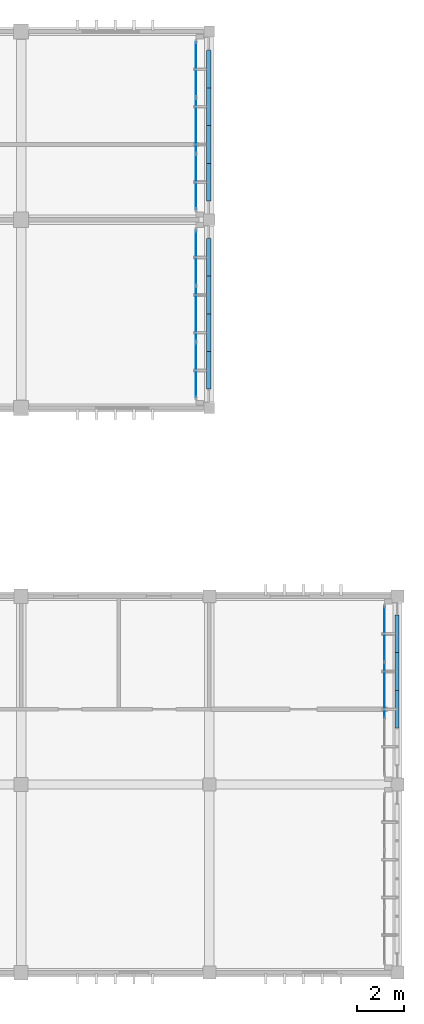
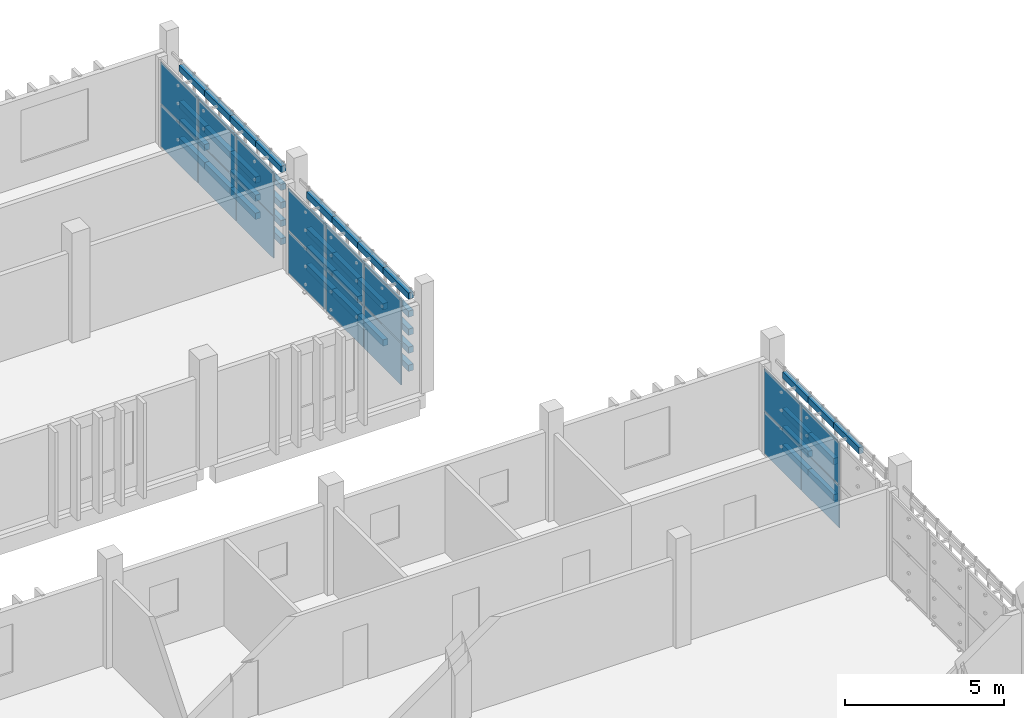
# One storey, part 43 of 63: 67 plates, 3 elements without a shape of their own.
"""IFC4 building model written with IfcOpenShell, lengths in metres."""

from ifc_helpers import new_model, si_unit, direction, frame, origin, origin_2d, place, context, subcontext, project, spatial, rectangle, extrude, material, layer, layer_set, type_object, element, aggregate, save


model = new_model("IFC4")

# Units and contexts
model_context = context("Model", 3, precision=1e-05, world=origin(), true_north=direction((0.0, 1.0)))
body_context = subcontext(model_context, "Body", "Model", "MODEL_VIEW")
ifc_project = project(units=[si_unit("LENGTHUNIT", "METRE"), si_unit("AREAUNIT", "SQUARE_METRE"), si_unit("VOLUMEUNIT", "CUBIC_METRE"), si_unit("PLANEANGLEUNIT", "RADIAN"), si_unit("MASSUNIT", "GRAM", prefix="KILO")], contexts=[model_context])

# Site, building, storey
site_placement = place(None, origin())
site = spatial("IfcSite", under=ifc_project, at=site_placement, CompositionType="ELEMENT")
building_placement = place(site_placement, origin())
building = spatial("IfcBuilding", under=site, at=building_placement, Name="Jelvoka-Kovrelna Polytechnic", CompositionType="ELEMENT")
storey_placement = place(building_placement, frame((0.0, 0.0, 18.0)))
storey = spatial("IfcBuildingStorey", under=building, at=storey_placement, Name="L05", CompositionType="ELEMENT", Elevation=18.0)

# Curtain wall, plates
ifc_material_1 = material(Name="Anodised aluminium 6063-T6", Category="aluminium")
ifc_layer_1 = layer(ifc_material_1, 0.159912109375)
ifc_layer_set_1 = layer_set([ifc_layer_1], Name="Anodised aluminium 6063-T6")
curtain_wall_type_1 = type_object("IfcCurtainWallType", Name="CW_Recessed_A", PredefinedType="NOTDEFINED", material=ifc_layer_set_1)
curtain_wall_1_placement = place(storey_placement, origin())
curtain_wall_1 = element("IfcCurtainWall", 1, at=curtain_wall_1_placement, inside=storey, type_object=curtain_wall_type_1, Name="L05 glazed curtain wall 073", PredefinedType="NOTDEFINED")
ifc_material_2 = material(Name="Solar-control double glazing", Category="glass")
ifc_layer_2 = layer(ifc_material_2, 0.028076171875)
ifc_layer_set_2 = layer_set([ifc_layer_2], Name="Solar-control double glazing")
plate_type_1 = type_object("IfcPlateType", Name="Panel_GP-01", PredefinedType="CURTAIN_PANEL", material=ifc_layer_set_2)
plate_1_placement = place(storey_placement, frame((199.43994140625, 46.385009765625, 0.052001953125), z_axis=(0.0, 0.0, 1.0), x_axis=(0.0, -1.0, 0.0)))
plate_1 = element("IfcPlate", 2, at=plate_1_placement, type_object=plate_type_1, Name="CW-01 panel 1.1", PredefinedType="CURTAIN_PANEL", context=body_context, shape_type="SweptSolid", body=[
    extrude(rectangle(XDim=2.326171875, YDim=0.028076171875, at=origin_2d()), origin(), (0.0, 0.0, 1.0), 1.60107421875),
])
plate_2_placement = place(storey_placement, frame((199.43994140625, 46.385009765625, 1.697021484375), z_axis=(0.0, 0.0, 1.0), x_axis=(0.0, -1.0, 0.0)))
plate_2 = element("IfcPlate", 3, at=plate_2_placement, type_object=plate_type_1, Name="CW-01 panel 1.2", PredefinedType="CURTAIN_PANEL", context=body_context, shape_type="SweptSolid", body=[
    extrude(rectangle(XDim=2.326171875, YDim=0.028076171875, at=origin_2d()), origin(), (0.0, 0.0, 1.0), 1.60107421875),
])
plate_3_placement = place(storey_placement, frame((199.43994140625, 44.0, 0.052001953125), z_axis=(0.0, 0.0, 1.0), x_axis=(0.0, -1.0, 0.0)))
plate_3 = element("IfcPlate", 4, at=plate_3_placement, type_object=plate_type_1, Name="CW-01 panel 2.1", PredefinedType="CURTAIN_PANEL", context=body_context, shape_type="SweptSolid", body=[
    extrude(rectangle(XDim=2.356201171875, YDim=0.028076171875, at=origin_2d()), origin(), (0.0, 0.0, 1.0), 1.60107421875),
])
plate_4_placement = place(storey_placement, frame((199.43994140625, 44.0, 1.697021484375), z_axis=(0.0, 0.0, 1.0), x_axis=(0.0, -1.0, 0.0)))
plate_4 = element("IfcPlate", 5, at=plate_4_placement, type_object=plate_type_1, Name="CW-01 panel 2.2", PredefinedType="CURTAIN_PANEL", context=body_context, shape_type="SweptSolid", body=[
    extrude(rectangle(XDim=2.356201171875, YDim=0.028076171875, at=origin_2d()), origin(), (0.0, 0.0, 1.0), 1.60107421875),
])
aggregate(curtain_wall_1, [plate_1, plate_2, plate_3, plate_4])

ifc_material_3 = material(Name="Anodised aluminium 6063-T6", Category="aluminium")
ifc_layer_3 = layer(ifc_material_3, 0.179931640625)
ifc_layer_set_3 = layer_set([ifc_layer_3], Name="Anodised aluminium 6063-T6")
curtain_wall_type_2 = type_object("IfcCurtainWallType", Name="CW_Recessed_B", PredefinedType="NOTDEFINED", material=ifc_layer_set_3)
curtain_wall_2_placement = place(storey_placement, origin())
curtain_wall_2 = element("IfcCurtainWall", 6, at=curtain_wall_2_placement, inside=storey, type_object=curtain_wall_type_2, Name="L05 glazed curtain wall 089", PredefinedType="NOTDEFINED")
ifc_material_4 = material(Name="Solar-control double glazing", Category="glass")
ifc_layer_4 = layer(ifc_material_4, 0.031982421875)
ifc_layer_set_4 = layer_set([ifc_layer_4], Name="Solar-control double glazing")
plate_type_2 = type_object("IfcPlateType", Name="Panel_GP-02", PredefinedType="CURTAIN_PANEL", material=ifc_layer_set_4)
plate_5_placement = place(storey_placement, frame((191.43994140625, 62.3837890625, 0.056884765625), z_axis=(0.0, 0.0, 1.0), x_axis=(0.0, -1.0, 0.0)))
plate_5 = element("IfcPlate", 7, at=plate_5_placement, type_object=plate_type_2, Name="CW-02 panel 1.1", PredefinedType="CURTAIN_PANEL", context=body_context, shape_type="SweptSolid", body=[
    extrude(rectangle(XDim=2.318603515625, YDim=0.031982421875, at=origin_2d()), origin(), (0.0, 0.0, 1.0), 1.593505859375),
])
plate_6_placement = place(storey_placement, frame((191.43994140625, 62.3837890625, 1.699462890625), z_axis=(0.0, 0.0, 1.0), x_axis=(0.0, -1.0, 0.0)))
plate_6 = element("IfcPlate", 8, at=plate_6_placement, type_object=plate_type_2, Name="CW-02 panel 1.2", PredefinedType="CURTAIN_PANEL", context=body_context, shape_type="SweptSolid", body=[
    extrude(rectangle(XDim=2.318603515625, YDim=0.031982421875, at=origin_2d()), origin(), (0.0, 0.0, 1.0), 1.593505859375),
])
plate_7_placement = place(storey_placement, frame((191.43994140625, 60.0, 0.056884765625), z_axis=(0.0, 0.0, 1.0), x_axis=(0.0, -1.0, 0.0)))
plate_7 = element("IfcPlate", 9, at=plate_7_placement, type_object=plate_type_2, Name="CW-02 panel 2.1", PredefinedType="CURTAIN_PANEL", context=body_context, shape_type="SweptSolid", body=[
    extrude(rectangle(XDim=2.35107421875, YDim=0.031982421875, at=origin_2d()), origin(), (0.0, 0.0, 1.0), 1.593505859375),
])
plate_8_placement = place(storey_placement, frame((191.43994140625, 60.0, 1.699462890625), z_axis=(0.0, 0.0, 1.0), x_axis=(0.0, -1.0, 0.0)))
plate_8 = element("IfcPlate", 10, at=plate_8_placement, type_object=plate_type_2, Name="CW-02 panel 2.2", PredefinedType="CURTAIN_PANEL", context=body_context, shape_type="SweptSolid", body=[
    extrude(rectangle(XDim=2.35107421875, YDim=0.031982421875, at=origin_2d()), origin(), (0.0, 0.0, 1.0), 1.593505859375),
])
plate_9_placement = place(storey_placement, frame((191.43994140625, 57.6162109375, 0.056884765625), z_axis=(0.0, 0.0, 1.0), x_axis=(0.0, -1.0, 0.0)))
plate_9 = element("IfcPlate", 11, at=plate_9_placement, type_object=plate_type_2, Name="CW-02 panel 3.1", PredefinedType="CURTAIN_PANEL", context=body_context, shape_type="SweptSolid", body=[
    extrude(rectangle(XDim=2.318603515625, YDim=0.031982421875, at=origin_2d()), origin(), (0.0, 0.0, 1.0), 1.593505859375),
])
plate_10_placement = place(storey_placement, frame((191.43994140625, 57.6162109375, 1.699462890625), z_axis=(0.0, 0.0, 1.0), x_axis=(0.0, -1.0, 0.0)))
plate_10 = element("IfcPlate", 12, at=plate_10_placement, type_object=plate_type_2, Name="CW-02 panel 3.2", PredefinedType="CURTAIN_PANEL", context=body_context, shape_type="SweptSolid", body=[
    extrude(rectangle(XDim=2.318603515625, YDim=0.031982421875, at=origin_2d()), origin(), (0.0, 0.0, 1.0), 1.593505859375),
])
aggregate(curtain_wall_2, [plate_5, plate_6, plate_7, plate_8, plate_9, plate_10])

curtain_wall_3_placement = place(storey_placement, origin())
curtain_wall_3 = element("IfcCurtainWall", 13, at=curtain_wall_3_placement, inside=storey, type_object=curtain_wall_type_2, Name="L05 glazed curtain wall 090", PredefinedType="NOTDEFINED")
plate_11_placement = place(storey_placement, frame((191.43994140625, 70.3837890625, 0.056884765625), z_axis=(0.0, 0.0, 1.0), x_axis=(0.0, -1.0, 0.0)))
plate_11 = element("IfcPlate", 14, at=plate_11_placement, type_object=plate_type_2, Name="CW-02 panel 1.1", PredefinedType="CURTAIN_PANEL", context=body_context, shape_type="SweptSolid", body=[
    extrude(rectangle(XDim=2.318603515625, YDim=0.031982421875, at=origin_2d()), origin(), (0.0, 0.0, 1.0), 1.593505859375),
])
plate_12_placement = place(storey_placement, frame((191.43994140625, 70.3837890625, 1.699462890625), z_axis=(0.0, 0.0, 1.0), x_axis=(0.0, -1.0, 0.0)))
plate_12 = element("IfcPlate", 15, at=plate_12_placement, type_object=plate_type_2, Name="CW-02 panel 1.2", PredefinedType="CURTAIN_PANEL", context=body_context, shape_type="SweptSolid", body=[
    extrude(rectangle(XDim=2.318603515625, YDim=0.031982421875, at=origin_2d()), origin(), (0.0, 0.0, 1.0), 1.593505859375),
])
plate_13_placement = place(storey_placement, frame((191.43994140625, 68.0, 0.056884765625), z_axis=(0.0, 0.0, 1.0), x_axis=(0.0, -1.0, 0.0)))
plate_13 = element("IfcPlate", 16, at=plate_13_placement, type_object=plate_type_2, Name="CW-02 panel 2.1", PredefinedType="CURTAIN_PANEL", context=body_context, shape_type="SweptSolid", body=[
    extrude(rectangle(XDim=2.35107421875, YDim=0.031982421875, at=origin_2d()), origin(), (0.0, 0.0, 1.0), 1.593505859375),
])
plate_14_placement = place(storey_placement, frame((191.43994140625, 68.0, 1.699462890625), z_axis=(0.0, 0.0, 1.0), x_axis=(0.0, -1.0, 0.0)))
plate_14 = element("IfcPlate", 17, at=plate_14_placement, type_object=plate_type_2, Name="CW-02 panel 2.2", PredefinedType="CURTAIN_PANEL", context=body_context, shape_type="SweptSolid", body=[
    extrude(rectangle(XDim=2.35107421875, YDim=0.031982421875, at=origin_2d()), origin(), (0.0, 0.0, 1.0), 1.593505859375),
])
plate_15_placement = place(storey_placement, frame((191.43994140625, 65.6162109375, 0.056884765625), z_axis=(0.0, 0.0, 1.0), x_axis=(0.0, -1.0, 0.0)))
plate_15 = element("IfcPlate", 18, at=plate_15_placement, type_object=plate_type_2, Name="CW-02 panel 3.1", PredefinedType="CURTAIN_PANEL", context=body_context, shape_type="SweptSolid", body=[
    extrude(rectangle(XDim=2.318603515625, YDim=0.031982421875, at=origin_2d()), origin(), (0.0, 0.0, 1.0), 1.593505859375),
])
plate_16_placement = place(storey_placement, frame((191.43994140625, 65.6162109375, 1.699462890625), z_axis=(0.0, 0.0, 1.0), x_axis=(0.0, -1.0, 0.0)))
plate_16 = element("IfcPlate", 19, at=plate_16_placement, type_object=plate_type_2, Name="CW-02 panel 3.2", PredefinedType="CURTAIN_PANEL", context=body_context, shape_type="SweptSolid", body=[
    extrude(rectangle(XDim=2.318603515625, YDim=0.031982421875, at=origin_2d()), origin(), (0.0, 0.0, 1.0), 1.593505859375),
])
aggregate(curtain_wall_3, [plate_11, plate_12, plate_13, plate_14, plate_15, plate_16])

# Plates
ifc_material_5 = material(Name="Perforated fired terracotta block", Category="masonry")
ifc_layer_5 = layer(ifc_material_5, 0.159912109375)
ifc_layer_set_5 = layer_set([ifc_layer_5], Name="Perforated fired terracotta block")
plate_type_3 = type_object("IfcPlateType", Name="Screen_Terracotta_TP01", PredefinedType="USERDEFINED", material=ifc_layer_set_5)
for number, where, z_axis, x_axis, name in (
    (20, (199.97998046875, 43.199951171875, 2.97021484375), (0.0, 0.0, 1.0), (0.0, 1.0, 0.0), "L05 perforated terracotta lattice band 0810"),
    (21, (199.97998046875, 44.800048828125, 0.2001953125), (0.0, 0.0, 1.0), (0.0, 1.0, 0.0), "L05 perforated terracotta lattice band 0811"),
    (22, (199.97998046875, 44.800048828125, 0.892578125), (0.0, 0.0, 1.0), (0.0, 1.0, 0.0), "L05 perforated terracotta lattice band 0812"),
    (23, (199.97998046875, 44.800048828125, 1.5849609375), (0.0, 0.0, 1.0), (0.0, 1.0, 0.0), "L05 perforated terracotta lattice band 0813"),
    (24, (199.97998046875, 44.800048828125, 2.27734375), (0.0, 0.0, 1.0), (0.0, 1.0, 0.0), "L05 perforated terracotta lattice band 0814"),
    (25, (199.97998046875, 44.800048828125, 2.97021484375), (0.0, 0.0, 1.0), (0.0, 1.0, 0.0), "L05 perforated terracotta lattice band 0815"),
    (26, (199.97998046875, 46.39990234375, 0.2001953125), (0.0, 0.0, 1.0), (0.0, 1.0, 0.0), "L05 perforated terracotta lattice band 0816"),
    (27, (199.97998046875, 46.39990234375, 0.892578125), (0.0, 0.0, 1.0), (0.0, 1.0, 0.0), "L05 perforated terracotta lattice band 0817"),
    (28, (199.97998046875, 46.39990234375, 1.5849609375), (0.0, 0.0, 1.0), (0.0, 1.0, 0.0), "L05 perforated terracotta lattice band 0818"),
    (29, (199.97998046875, 46.39990234375, 2.27734375), (0.0, 0.0, 1.0), (0.0, 1.0, 0.0), "L05 perforated terracotta lattice band 0819"),
    (30, (199.97998046875, 46.39990234375, 2.97021484375), (0.0, 0.0, 1.0), (0.0, 1.0, 0.0), "L05 perforated terracotta lattice band 0820"),
):
    element("IfcPlate", number, at=place(storey_placement, frame(where, z_axis=z_axis, x_axis=x_axis)), inside=storey, type_object=plate_type_3, Name=name, ObjectType="SCREEN PANEL", PredefinedType="USERDEFINED", context=body_context, shape_type="SweptSolid", body=[
        extrude(rectangle(XDim=1.60009765625, YDim=0.159912109375, at=origin_2d()), origin(), (0.0, 0.0, 1.0), 0.239990234375),
    ])
ifc_material_6 = material(Name="Perforated fired terracotta block", Category="masonry")
ifc_layer_6 = layer(ifc_material_6, 0.179931640625)
ifc_layer_set_6 = layer_set([ifc_layer_6], Name="Perforated fired terracotta block")
plate_type_4 = type_object("IfcPlateType", Name="Screen_Terracotta_TP02", PredefinedType="USERDEFINED", material=ifc_layer_set_6)
for number, where, z_axis, x_axis, name in (
    (31, (191.97998046875, 57.60009765625, 0.2001953125), (0.0, 0.0, 1.0), (0.0, 1.0, 0.0), "L05 perforated terracotta lattice band 1121"),
    (32, (191.97998046875, 57.60009765625, 0.892578125), (0.0, 0.0, 1.0), (0.0, 1.0, 0.0), "L05 perforated terracotta lattice band 1122"),
    (33, (191.97998046875, 57.60009765625, 1.5849609375), (0.0, 0.0, 1.0), (0.0, 1.0, 0.0), "L05 perforated terracotta lattice band 1123"),
    (34, (191.97998046875, 57.60009765625, 2.27734375), (0.0, 0.0, 1.0), (0.0, 1.0, 0.0), "L05 perforated terracotta lattice band 1124"),
    (35, (191.97998046875, 57.60009765625, 2.97021484375), (0.0, 0.0, 1.0), (0.0, 1.0, 0.0), "L05 perforated terracotta lattice band 1125"),
    (36, (191.97998046875, 59.199951171875, 0.2001953125), (0.0, 0.0, 1.0), (0.0, 1.0, 0.0), "L05 perforated terracotta lattice band 1126"),
    (37, (191.97998046875, 59.199951171875, 0.892578125), (0.0, 0.0, 1.0), (0.0, 1.0, 0.0), "L05 perforated terracotta lattice band 1127"),
    (38, (191.97998046875, 59.199951171875, 1.5849609375), (0.0, 0.0, 1.0), (0.0, 1.0, 0.0), "L05 perforated terracotta lattice band 1128"),
    (39, (191.97998046875, 59.199951171875, 2.27734375), (0.0, 0.0, 1.0), (0.0, 1.0, 0.0), "L05 perforated terracotta lattice band 1129"),
    (40, (191.97998046875, 59.199951171875, 2.97021484375), (0.0, 0.0, 1.0), (0.0, 1.0, 0.0), "L05 perforated terracotta lattice band 1130"),
    (41, (191.97998046875, 60.800048828125, 0.2001953125), (0.0, 0.0, 1.0), (0.0, 1.0, 0.0), "L05 perforated terracotta lattice band 1131"),
    (42, (191.97998046875, 60.800048828125, 0.892578125), (0.0, 0.0, 1.0), (0.0, 1.0, 0.0), "L05 perforated terracotta lattice band 1132"),
    (43, (191.97998046875, 60.800048828125, 1.5849609375), (0.0, 0.0, 1.0), (0.0, 1.0, 0.0), "L05 perforated terracotta lattice band 1133"),
    (44, (191.97998046875, 60.800048828125, 2.27734375), (0.0, 0.0, 1.0), (0.0, 1.0, 0.0), "L05 perforated terracotta lattice band 1134"),
    (45, (191.97998046875, 60.800048828125, 2.97021484375), (0.0, 0.0, 1.0), (0.0, 1.0, 0.0), "L05 perforated terracotta lattice band 1135"),
    (46, (191.97998046875, 62.39990234375, 0.2001953125), (0.0, 0.0, 1.0), (0.0, 1.0, 0.0), "L05 perforated terracotta lattice band 1136"),
    (47, (191.97998046875, 62.39990234375, 0.892578125), (0.0, 0.0, 1.0), (0.0, 1.0, 0.0), "L05 perforated terracotta lattice band 1137"),
    (48, (191.97998046875, 62.39990234375, 1.5849609375), (0.0, 0.0, 1.0), (0.0, 1.0, 0.0), "L05 perforated terracotta lattice band 1138"),
    (49, (191.97998046875, 62.39990234375, 2.27734375), (0.0, 0.0, 1.0), (0.0, 1.0, 0.0), "L05 perforated terracotta lattice band 1139"),
    (50, (191.97998046875, 62.39990234375, 2.97021484375), (0.0, 0.0, 1.0), (0.0, 1.0, 0.0), "L05 perforated terracotta lattice band 1140"),
    (51, (191.97998046875, 65.60009765625, 0.2001953125), (0.0, 0.0, 1.0), (0.0, 1.0, 0.0), "L05 perforated terracotta lattice band 1141"),
    (52, (191.97998046875, 65.60009765625, 0.892578125), (0.0, 0.0, 1.0), (0.0, 1.0, 0.0), "L05 perforated terracotta lattice band 1142"),
    (53, (191.97998046875, 65.60009765625, 1.5849609375), (0.0, 0.0, 1.0), (0.0, 1.0, 0.0), "L05 perforated terracotta lattice band 1143"),
    (54, (191.97998046875, 65.60009765625, 2.27734375), (0.0, 0.0, 1.0), (0.0, 1.0, 0.0), "L05 perforated terracotta lattice band 1144"),
    (55, (191.97998046875, 65.60009765625, 2.97021484375), (0.0, 0.0, 1.0), (0.0, 1.0, 0.0), "L05 perforated terracotta lattice band 1145"),
    (56, (191.97998046875, 67.199951171875, 0.2001953125), (0.0, 0.0, 1.0), (0.0, 1.0, 0.0), "L05 perforated terracotta lattice band 1146"),
    (57, (191.97998046875, 67.199951171875, 0.892578125), (0.0, 0.0, 1.0), (0.0, 1.0, 0.0), "L05 perforated terracotta lattice band 1147"),
    (58, (191.97998046875, 67.199951171875, 1.5849609375), (0.0, 0.0, 1.0), (0.0, 1.0, 0.0), "L05 perforated terracotta lattice band 1148"),
    (59, (191.97998046875, 67.199951171875, 2.27734375), (0.0, 0.0, 1.0), (0.0, 1.0, 0.0), "L05 perforated terracotta lattice band 1149"),
    (60, (191.97998046875, 67.199951171875, 2.97021484375), (0.0, 0.0, 1.0), (0.0, 1.0, 0.0), "L05 perforated terracotta lattice band 1150"),
    (61, (191.97998046875, 68.800048828125, 0.2001953125), (0.0, 0.0, 1.0), (0.0, 1.0, 0.0), "L05 perforated terracotta lattice band 1151"),
    (62, (191.97998046875, 68.800048828125, 0.892578125), (0.0, 0.0, 1.0), (0.0, 1.0, 0.0), "L05 perforated terracotta lattice band 1152"),
    (63, (191.97998046875, 68.800048828125, 1.5849609375), (0.0, 0.0, 1.0), (0.0, 1.0, 0.0), "L05 perforated terracotta lattice band 1153"),
    (64, (191.97998046875, 68.800048828125, 2.27734375), (0.0, 0.0, 1.0), (0.0, 1.0, 0.0), "L05 perforated terracotta lattice band 1154"),
    (65, (191.97998046875, 68.800048828125, 2.97021484375), (0.0, 0.0, 1.0), (0.0, 1.0, 0.0), "L05 perforated terracotta lattice band 1155"),
    (66, (191.97998046875, 70.39990234375, 0.2001953125), (0.0, 0.0, 1.0), (0.0, 1.0, 0.0), "L05 perforated terracotta lattice band 1156"),
    (67, (191.97998046875, 70.39990234375, 0.892578125), (0.0, 0.0, 1.0), (0.0, 1.0, 0.0), "L05 perforated terracotta lattice band 1157"),
    (68, (191.97998046875, 70.39990234375, 1.5849609375), (0.0, 0.0, 1.0), (0.0, 1.0, 0.0), "L05 perforated terracotta lattice band 1158"),
    (69, (191.97998046875, 70.39990234375, 2.27734375), (0.0, 0.0, 1.0), (0.0, 1.0, 0.0), "L05 perforated terracotta lattice band 1159"),
    (70, (191.97998046875, 70.39990234375, 2.97021484375), (0.0, 0.0, 1.0), (0.0, 1.0, 0.0), "L05 perforated terracotta lattice band 1160"),
):
    element("IfcPlate", number, at=place(storey_placement, frame(where, z_axis=z_axis, x_axis=x_axis)), inside=storey, type_object=plate_type_4, Name=name, ObjectType="SCREEN PANEL", PredefinedType="USERDEFINED", context=body_context, shape_type="SweptSolid", body=[
        extrude(rectangle(XDim=1.60009765625, YDim=0.179931640625, at=origin_2d()), origin(), (0.0, 0.0, 1.0), 0.239990234375),
    ])

save(model, "model.ifc")
